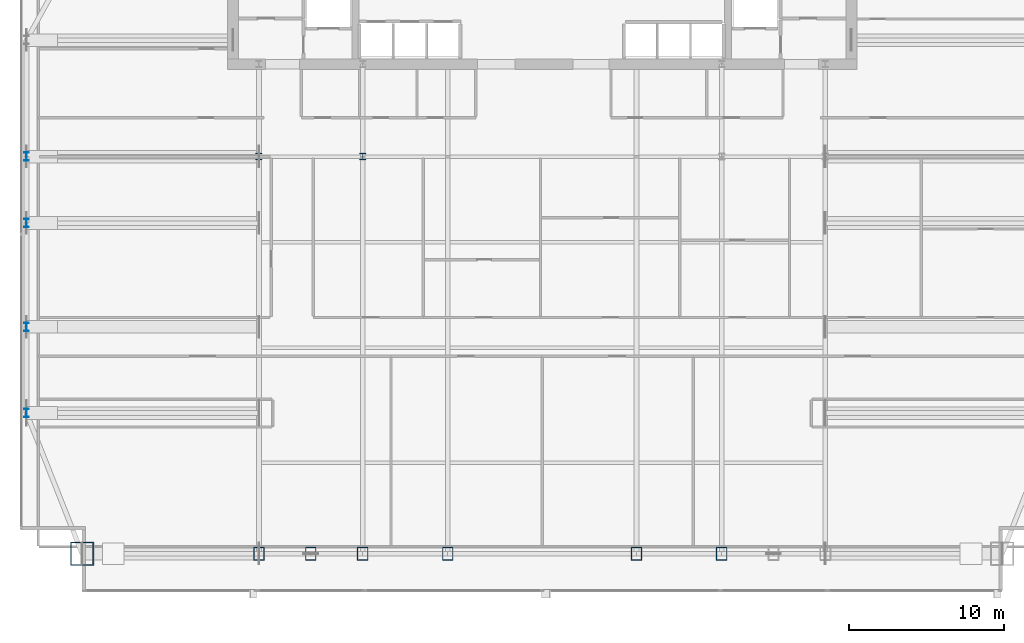
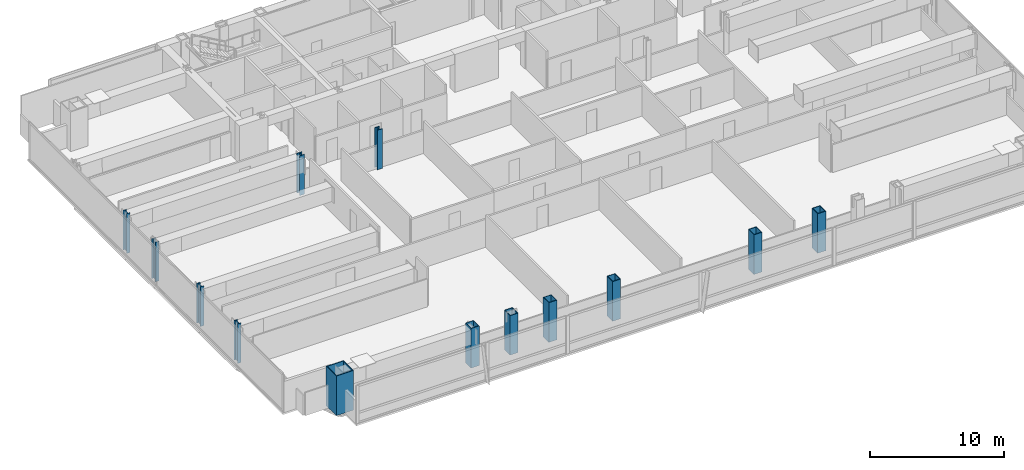
# One storey, part 1 of 30: 13 columns.
"""IFC4 building model written with IfcOpenShell, lengths in metres."""

from ifc_helpers import new_model, si_unit, direction, frame, origin, origin_2d, place, context, subcontext, project, spatial, hollow_rectangle, i_section, extrude, material, material_profile, profile_set, type_object, element, save


model = new_model("IFC4")

# Units and contexts
model_context = context("Model", 3, precision=1e-05, world=origin(), true_north=direction((0.0, 1.0)))
body_context = subcontext(model_context, "Body", "Model", "MODEL_VIEW")
ifc_project = project(units=[si_unit("LENGTHUNIT", "METRE"), si_unit("AREAUNIT", "SQUARE_METRE"), si_unit("VOLUMEUNIT", "CUBIC_METRE"), si_unit("PLANEANGLEUNIT", "RADIAN"), si_unit("MASSUNIT", "GRAM", prefix="KILO")], contexts=[model_context])

# Site, building, storey
site_placement = place(None, origin())
site = spatial("IfcSite", under=ifc_project, at=site_placement, CompositionType="ELEMENT")
building_placement = place(site_placement, origin())
building = spatial("IfcBuilding", under=site, at=building_placement, Name="Khoronbel Lancet Exchange", CompositionType="ELEMENT")
storey_placement = place(building_placement, frame((0.0, 0.0, 132.60009765625)))
storey = spatial("IfcBuildingStorey", under=building, at=storey_placement, Name="L32", CompositionType="ELEMENT", Elevation=132.60009765625)

# Columns
ifc_material_1 = material(Name="Steel S460", Category="steel")
ifc_material_profile_1 = material_profile(ifc_material_1, hollow_rectangle(XDim=0.699951171875, YDim=0.85009765625, WallThickness=0.050048828125, at=origin_2d()), Name="BOX 850x700x50")
ifc_profile_set_1 = profile_set([ifc_material_profile_1], Name="Steel S460")
column_type_1 = type_object("IfcColumnType", Name="COL-EC2", PredefinedType="COLUMN", material=ifc_profile_set_1)
for number, where, z_axis, x_axis, name in (
    (1, (18.22509765625, 10.14990234375, 0.0), (0.0, 0.0, 1.0), (1.0, 0.0, 0.0), "Structural column SC-W1 L32"),
    (2, (21.5625, 10.14990234375, 0.0), (0.0, 0.0, 1.0), (1.0, 0.0, 0.0), "Structural column SC-WM L32"),
    (3, (24.89990234375, 10.14990234375, 0.0), (0.0, 0.0, 1.0), (1.0, 0.0, 0.0), "Structural column SC-W2 L32"),
    (4, (30.375, 10.14990234375, 0.0), (0.0, 0.0, 1.0), (1.0, 0.0, 0.0), "Structural column SC-C1 L32"),
    (5, (42.52490234375, 10.14990234375, 0.0), (0.0, 0.0, 1.0), (1.0, 0.0, 0.0), "Structural column SC-C2 L32"),
    (6, (48.0, 10.14990234375, 0.0), (0.0, 0.0, 1.0), (1.0, 0.0, 0.0), "Structural column SC-E1 L32"),
):
    element("IfcColumn", number, at=place(storey_placement, frame(where, z_axis=z_axis, x_axis=x_axis)), inside=storey, type_object=column_type_1, Name=name, PredefinedType="COLUMN", context=body_context, shape_type="SweptSolid", body=[
        extrude(hollow_rectangle(XDim=0.699951171875, YDim=0.85009765625, WallThickness=0.050048828125, at=origin_2d()), origin(), (0.0, 0.0, 1.0), 3.599853515625),
    ])
ifc_material_profile_2 = material_profile(ifc_material_1, i_section(OverallWidth=0.416015625, OverallDepth=0.446044921875, WebThickness=0.0390625, FlangeThickness=0.062744140625, at=origin_2d()), Name="HD 400x509")
ifc_profile_set_2 = profile_set([ifc_material_profile_2], Name="Steel S460")
column_type_2 = type_object("IfcColumnType", Name="COL-IC2", PredefinedType="COLUMN", material=ifc_profile_set_2)
for number, where, z_axis, x_axis, name in (
    (7, (18.22509765625, 35.699951171875, 0.0), (0.0, 0.0, 1.0), (1.0, 0.0, 0.0), "Spine gravity column TC1 L32"),
    (8, (24.89990234375, 35.699951171875, 0.0), (0.0, 0.0, 1.0), (1.0, 0.0, 0.0), "Spine gravity column TC2 L32"),
):
    element("IfcColumn", number, at=place(storey_placement, frame(where, z_axis=z_axis, x_axis=x_axis)), inside=storey, type_object=column_type_2, Name=name, PredefinedType="COLUMN", context=body_context, shape_type="SweptSolid", body=[
        extrude(i_section(OverallWidth=0.416015625, OverallDepth=0.446044921875, WebThickness=0.0390625, FlangeThickness=0.062744140625, at=origin_2d()), origin(), (0.0, 0.0, 1.0), 3.599853515625),
    ])
ifc_material_2 = material(Name="Steel S355", Category="steel")
ifc_material_profile_3 = material_profile(ifc_material_2, i_section(OverallWidth=0.300048828125, OverallDepth=0.550048828125, WebThickness=0.014892578125, FlangeThickness=0.029052734375, at=origin_2d()), Name="HEB 550")
ifc_profile_set_3 = profile_set([ifc_material_profile_3], Name="Steel S355")
column_type_3 = type_object("IfcColumnType", Name="COL-LC1", PredefinedType="COLUMN", material=ifc_profile_set_3)
for number, where, z_axis, x_axis, name in (
    (9, (3.27001953125, 19.199951171875, 0.0), (0.0, 0.0, 1.0), (1.0, 0.0, 0.0), "Structural column WC-1 L32"),
    (10, (3.27001953125, 24.75, 0.0), (0.0, 0.0, 1.0), (1.0, 0.0, 0.0), "Structural column WC-2 L32"),
    (11, (3.27001953125, 31.425048828125, 0.0), (0.0, 0.0, 1.0), (1.0, 0.0, 0.0), "Structural column WC-M L32"),
    (12, (3.27001953125, 35.699951171875, 0.0), (0.0, 0.0, 1.0), (1.0, 0.0, 0.0), "Structural column WC-3 L32"),
):
    element("IfcColumn", number, at=place(storey_placement, frame(where, z_axis=z_axis, x_axis=x_axis)), inside=storey, type_object=column_type_3, Name=name, PredefinedType="COLUMN", context=body_context, shape_type="SweptSolid", body=[
        extrude(i_section(OverallWidth=0.300048828125, OverallDepth=0.550048828125, WebThickness=0.014892578125, FlangeThickness=0.029052734375, at=origin_2d()), origin(), (0.0, 0.0, 1.0), 3.599853515625),
    ])
ifc_material_profile_4 = material_profile(ifc_material_1, hollow_rectangle(XDim=1.5, YDim=1.5, WallThickness=0.070068359375, at=origin_2d()), Name="BOX 1500x1500x70")
ifc_profile_set_4 = profile_set([ifc_material_profile_4], Name="Steel S460")
column_type_4 = type_object("IfcColumnType", Name="COL-MC3", PredefinedType="COLUMN", material=ifc_profile_set_4)
column_placement = place(storey_placement, frame((6.85009765625, 10.14990234375, 0.0), z_axis=(0.0, 0.0, 1.0), x_axis=(1.0, 0.0, 0.0)))
element("IfcColumn", 13, at=column_placement, inside=storey, type_object=column_type_4, Name="Structural column MC-SW L32", PredefinedType="COLUMN", context=body_context, shape_type="SweptSolid", body=[
    extrude(hollow_rectangle(XDim=1.5, YDim=1.5, WallThickness=0.070068359375, at=origin_2d()), origin(), (0.0, 0.0, 1.0), 3.599853515625),
])

save(model, "model.ifc")
